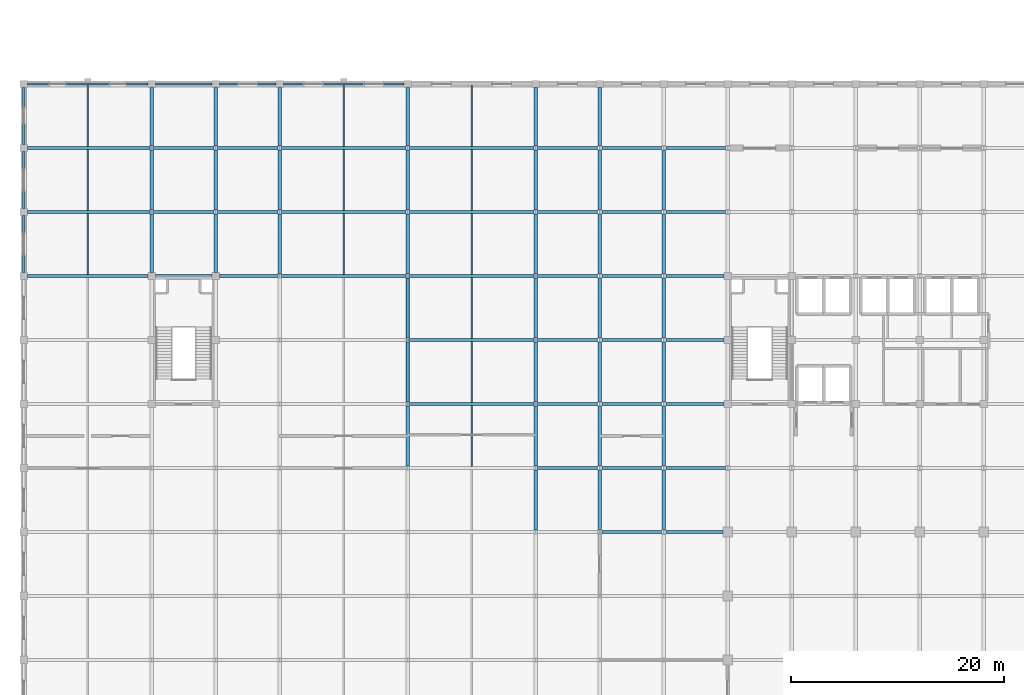
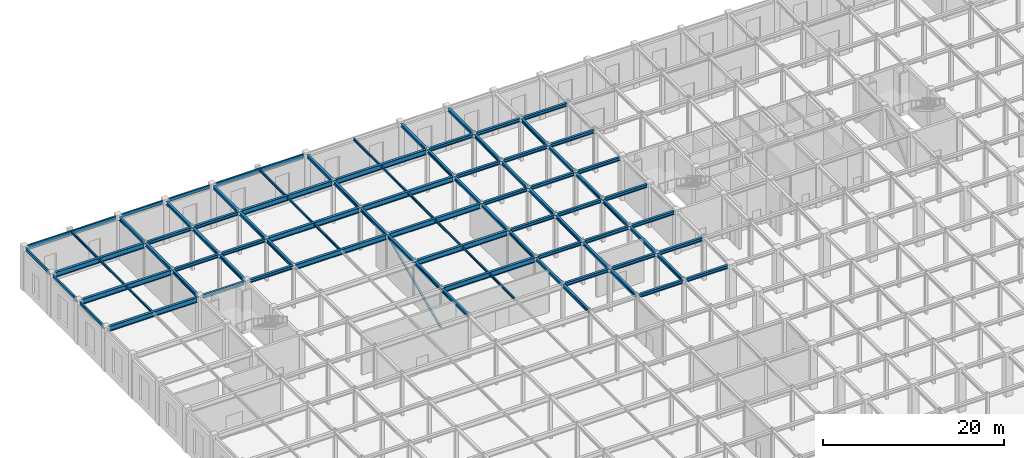
# One storey, part 34 of 51: 91 beams, 1 member.
"""IFC4 building model written with IfcOpenShell, lengths in metres."""

from ifc_helpers import new_model, si_unit, direction, frame, origin, origin_2d, place, context, subcontext, project, spatial, hollow_rectangle, i_section, extrude, material, material_profile, profile_set, type_object, element, save


model = new_model("IFC4")

# Units and contexts
model_context = context("Model", 3, precision=1e-05, world=origin(), true_north=direction((0.0, 1.0)))
body_context = subcontext(model_context, "Body", "Model", "MODEL_VIEW")
ifc_project = project(units=[si_unit("LENGTHUNIT", "METRE"), si_unit("AREAUNIT", "SQUARE_METRE"), si_unit("VOLUMEUNIT", "CUBIC_METRE"), si_unit("PLANEANGLEUNIT", "RADIAN"), si_unit("MASSUNIT", "GRAM", prefix="KILO")], contexts=[model_context])

# Site, building, storey
site_placement = place(None, origin())
site = spatial("IfcSite", under=ifc_project, at=site_placement, CompositionType="ELEMENT")
building_placement = place(site_placement, origin())
building = spatial("IfcBuilding", under=site, at=building_placement, Name="Zlatovratsky Civic Hall", CompositionType="ELEMENT")
storey_placement = place(building_placement, origin())
storey = spatial("IfcBuildingStorey", under=building, at=storey_placement, Name="L01", CompositionType="ELEMENT", Elevation=0.0)

# Beams
ifc_material = material(Name="Steel S355", Category="steel")
ifc_material_profile_1 = material_profile(ifc_material, i_section(OverallWidth=0.320068359375, OverallDepth=0.68310546875, WebThickness=0.012939453125, FlangeThickness=0.01904296875, FilletRadius=0.02587890625, at=origin_2d()), Name="70Sh1")
ifc_profile_set_1 = profile_set([ifc_material_profile_1], Name="Steel S355")
beam_type_1 = type_object("IfcBeamType", Name="Beam_HallGirder_70Sh1", PredefinedType="BEAM", material=ifc_profile_set_1)
for number, where, z_axis, x_axis, name in (
    (1, (36.175048828125, 84.0, 5.41845703125), (1.0, 0.0, 0.0), (0.0, 1.0, 0.0), "BM-1123"),
    (2, (36.175048828125, 90.0, 5.41845703125), (1.0, 0.0, 0.0), (0.0, 1.0, 0.0), "BM-1144"),
):
    element("IfcBeam", number, at=place(storey_placement, frame(where, z_axis=z_axis, x_axis=x_axis)), inside=storey, type_object=beam_type_1, Name=name, PredefinedType="BEAM", context=body_context, shape_type="SweptSolid", body=[
        extrude(i_section(OverallWidth=0.320068359375, OverallDepth=0.68310546875, WebThickness=0.012939453125, FlangeThickness=0.01904296875, FilletRadius=0.02587890625, at=origin_2d()), origin(), (0.0, 0.0, 1.0), 11.64990234375),
    ])
beam_1_placement = place(storey_placement, frame((0.35009765625, 96.0, 5.41845703125), z_axis=(1.0, 0.0, 0.0), x_axis=(0.0, 1.0, 0.0)))
element("IfcBeam", 3, at=beam_1_placement, inside=storey, type_object=beam_type_1, Name="BM-1159", PredefinedType="BEAM", context=body_context, shape_type="SweptSolid", body=[
    extrude(i_section(OverallWidth=0.320068359375, OverallDepth=0.68310546875, WebThickness=0.012939453125, FlangeThickness=0.01904296875, FilletRadius=0.02587890625, at=origin_2d()), origin(), (0.0, 0.0, 1.0), 11.2998046875),
])
for number, where, z_axis, x_axis, name in (
    (4, (24.175048828125, 96.0, 5.41845703125), (1.0, 0.0, 0.0), (0.0, 1.0, 0.0), "BM-1162"),
    (5, (36.175048828125, 96.0, 5.41845703125), (1.0, 0.0, 0.0), (0.0, 1.0, 0.0), "BM-1163"),
):
    element("IfcBeam", number, at=place(storey_placement, frame(where, z_axis=z_axis, x_axis=x_axis)), inside=storey, type_object=beam_type_1, Name=name, PredefinedType="BEAM", context=body_context, shape_type="SweptSolid", body=[
        extrude(i_section(OverallWidth=0.320068359375, OverallDepth=0.68310546875, WebThickness=0.012939453125, FlangeThickness=0.01904296875, FilletRadius=0.02587890625, at=origin_2d()), origin(), (0.0, 0.0, 1.0), 11.64990234375),
    ])
beam_2_placement = place(storey_placement, frame((0.35009765625, 102.0, 5.41845703125), z_axis=(1.0, 0.0, 0.0), x_axis=(0.0, 1.0, 0.0)))
element("IfcBeam", 6, at=beam_2_placement, inside=storey, type_object=beam_type_1, Name="BM-1181", PredefinedType="BEAM", context=body_context, shape_type="SweptSolid", body=[
    extrude(i_section(OverallWidth=0.320068359375, OverallDepth=0.68310546875, WebThickness=0.012939453125, FlangeThickness=0.01904296875, FilletRadius=0.02587890625, at=origin_2d()), origin(), (0.0, 0.0, 1.0), 11.474853515625),
])
for number, where, z_axis, x_axis, name in (
    (7, (24.175048828125, 102.0, 5.41845703125), (1.0, 0.0, 0.0), (0.0, 1.0, 0.0), "BM-1184"),
    (8, (36.175048828125, 102.0, 5.41845703125), (1.0, 0.0, 0.0), (0.0, 1.0, 0.0), "BM-1185"),
):
    element("IfcBeam", number, at=place(storey_placement, frame(where, z_axis=z_axis, x_axis=x_axis)), inside=storey, type_object=beam_type_1, Name=name, PredefinedType="BEAM", context=body_context, shape_type="SweptSolid", body=[
        extrude(i_section(OverallWidth=0.320068359375, OverallDepth=0.68310546875, WebThickness=0.012939453125, FlangeThickness=0.01904296875, FilletRadius=0.02587890625, at=origin_2d()), origin(), (0.0, 0.0, 1.0), 11.64990234375),
    ])
beam_3_placement = place(storey_placement, frame((0.35009765625, 108.0, 5.41845703125), z_axis=(1.0, 0.0, 0.0), x_axis=(0.0, 1.0, 0.0)))
element("IfcBeam", 9, at=beam_3_placement, inside=storey, type_object=beam_type_1, Name="BM-1203", PredefinedType="BEAM", context=body_context, shape_type="SweptSolid", body=[
    extrude(i_section(OverallWidth=0.320068359375, OverallDepth=0.68310546875, WebThickness=0.012939453125, FlangeThickness=0.01904296875, FilletRadius=0.02587890625, at=origin_2d()), origin(), (0.0, 0.0, 1.0), 11.474853515625),
])
for number, where, z_axis, x_axis, name in (
    (10, (24.175048828125, 108.0, 5.41845703125), (1.0, 0.0, 0.0), (0.0, 1.0, 0.0), "BM-1206"),
    (11, (36.175048828125, 108.0, 5.41845703125), (1.0, 0.0, 0.0), (0.0, 1.0, 0.0), "BM-1207"),
):
    element("IfcBeam", number, at=place(storey_placement, frame(where, z_axis=z_axis, x_axis=x_axis)), inside=storey, type_object=beam_type_1, Name=name, PredefinedType="BEAM", context=body_context, shape_type="SweptSolid", body=[
        extrude(i_section(OverallWidth=0.320068359375, OverallDepth=0.68310546875, WebThickness=0.012939453125, FlangeThickness=0.01904296875, FilletRadius=0.02587890625, at=origin_2d()), origin(), (0.0, 0.0, 1.0), 11.64990234375),
    ])
ifc_material_profile_2 = material_profile(ifc_material, i_section(OverallWidth=0.198974609375, OverallDepth=0.491943359375, WebThickness=0.0087890625, FlangeThickness=0.011962890625, FilletRadius=0.01611328125, at=origin_2d()), Name="50B1")
ifc_profile_set_2 = profile_set([ifc_material_profile_2], Name="Steel S355")
beam_type_2 = type_object("IfcBeamType", Name="Beam_Spandrel_50B1", PredefinedType="SPANDREL", material=ifc_profile_set_2)
for number, where, z_axis, x_axis, name in (
    (12, (12.35009765625, 114.0, 5.513916015625), (1.0, 0.0, 0.0), (0.0, 1.0, 0.0), "BM-1226"),
    (13, (18.35009765625, 114.0, 5.513916015625), (1.0, 0.0, 0.0), (0.0, 1.0, 0.0), "BM-1227"),
    (14, (0.0, 96.35009765625, 5.513916015625), (0.0, 1.0, 0.0), (-1.0, 0.0, 0.0), "BM-1261"),
    (15, (0.0, 102.35009765625, 5.513916015625), (0.0, 1.0, 0.0), (-1.0, 0.0, 0.0), "BM-1262"),
    (16, (0.0, 108.35009765625, 5.513916015625), (0.0, 1.0, 0.0), (-1.0, 0.0, 0.0), "BM-1263"),
):
    element("IfcBeam", number, at=place(storey_placement, frame(where, z_axis=z_axis, x_axis=x_axis)), inside=storey, type_object=beam_type_2, Name=name, PredefinedType="SPANDREL", context=body_context, shape_type="SweptSolid", body=[
        extrude(i_section(OverallWidth=0.198974609375, OverallDepth=0.491943359375, WebThickness=0.0087890625, FlangeThickness=0.011962890625, FilletRadius=0.01611328125, at=origin_2d()), origin(), (0.0, 0.0, 1.0), 5.2998046875),
    ])
ifc_material_profile_3 = material_profile(ifc_material, i_section(OverallWidth=0.198974609375, OverallDepth=0.593017578125, WebThickness=0.010498046875, FlangeThickness=0.014892578125, FilletRadius=0.01806640625, at=origin_2d()), Name="60B1")
ifc_profile_set_3 = profile_set([ifc_material_profile_3], Name="Steel S355")
beam_type_3 = type_object("IfcBeamType", Name="Beam_Spandrel_60B1", PredefinedType="SPANDREL", material=ifc_profile_set_3)
for number, where, z_axis, x_axis, name in (
    (17, (0.35009765625, 114.0, 5.46337890625), (1.0, 0.0, 0.0), (0.0, 1.0, 0.0), "BM-1225"),
    (18, (24.35009765625, 114.0, 5.46337890625), (1.0, 0.0, 0.0), (0.0, 1.0, 0.0), "BM-1228"),
):
    element("IfcBeam", number, at=place(storey_placement, frame(where, z_axis=z_axis, x_axis=x_axis)), inside=storey, type_object=beam_type_3, Name=name, PredefinedType="SPANDREL", context=body_context, shape_type="SweptSolid", body=[
        extrude(i_section(OverallWidth=0.198974609375, OverallDepth=0.593017578125, WebThickness=0.010498046875, FlangeThickness=0.014892578125, FilletRadius=0.01806640625, at=origin_2d()), origin(), (0.0, 0.0, 1.0), 11.2998046875),
    ])
ifc_material_profile_4 = material_profile(ifc_material, i_section(OverallWidth=0.300048828125, OverallDepth=0.43994140625, WebThickness=0.010986328125, FlangeThickness=0.01806640625, FilletRadius=0.02197265625, at=origin_2d()), Name="45Sh1")
ifc_profile_set_4 = profile_set([ifc_material_profile_4], Name="Steel S355")
beam_type_4 = type_object("IfcBeamType", Name="Beam_TowerLow_45Sh1", PredefinedType="BEAM", material=ifc_profile_set_4)
beam_4_placement = place(storey_placement, frame((54.20458984375, 72.0, 5.5400390625), z_axis=(1.0, 0.0, 0.0), x_axis=(0.0, 1.0, 0.0)))
element("IfcBeam", 19, at=beam_4_placement, inside=storey, type_object=beam_type_4, Name="BM-1081", PredefinedType="BEAM", context=body_context, shape_type="SweptSolid", body=[
    extrude(i_section(OverallWidth=0.300048828125, OverallDepth=0.43994140625, WebThickness=0.010986328125, FlangeThickness=0.01806640625, FilletRadius=0.02197265625, at=origin_2d()), origin(), (0.0, 0.0, 1.0), 5.5908203125),
])
beam_5_placement = place(storey_placement, frame((60.20458984375, 72.0, 5.5400390625), z_axis=(1.0, 0.0, 0.0), x_axis=(0.0, 1.0, 0.0)))
element("IfcBeam", 20, at=beam_5_placement, inside=storey, type_object=beam_type_4, Name="BM-1082", PredefinedType="BEAM", context=body_context, shape_type="SweptSolid", body=[
    extrude(i_section(OverallWidth=0.300048828125, OverallDepth=0.43994140625, WebThickness=0.010986328125, FlangeThickness=0.01806640625, FilletRadius=0.02197265625, at=origin_2d()), origin(), (0.0, 0.0, 1.0), 5.345458984375),
])
beam_6_placement = place(storey_placement, frame((48.175048828125, 78.0, 5.5400390625), z_axis=(1.0, 0.0, 0.0), x_axis=(0.0, 1.0, 0.0)))
element("IfcBeam", 21, at=beam_6_placement, inside=storey, type_object=beam_type_4, Name="BM-1102", PredefinedType="BEAM", context=body_context, shape_type="SweptSolid", body=[
    extrude(i_section(OverallWidth=0.300048828125, OverallDepth=0.43994140625, WebThickness=0.010986328125, FlangeThickness=0.01806640625, FilletRadius=0.02197265625, at=origin_2d()), origin(), (0.0, 0.0, 1.0), 5.620361328125),
])
for number, where, z_axis, x_axis, name in (
    (22, (54.20458984375, 78.0, 5.5400390625), (1.0, 0.0, 0.0), (0.0, 1.0, 0.0), "BM-1103"),
    (23, (60.20458984375, 78.0, 5.5400390625), (1.0, 0.0, 0.0), (0.0, 1.0, 0.0), "BM-1104"),
):
    element("IfcBeam", number, at=place(storey_placement, frame(where, z_axis=z_axis, x_axis=x_axis)), inside=storey, type_object=beam_type_4, Name=name, PredefinedType="BEAM", context=body_context, shape_type="SweptSolid", body=[
        extrude(i_section(OverallWidth=0.300048828125, OverallDepth=0.43994140625, WebThickness=0.010986328125, FlangeThickness=0.01806640625, FilletRadius=0.02197265625, at=origin_2d()), origin(), (0.0, 0.0, 1.0), 5.5908203125),
    ])
beam_7_placement = place(storey_placement, frame((48.175048828125, 84.0, 5.5400390625), z_axis=(1.0, 0.0, 0.0), x_axis=(0.0, 1.0, 0.0)))
element("IfcBeam", 24, at=beam_7_placement, inside=storey, type_object=beam_type_4, Name="BM-1124", PredefinedType="BEAM", context=body_context, shape_type="SweptSolid", body=[
    extrude(i_section(OverallWidth=0.300048828125, OverallDepth=0.43994140625, WebThickness=0.010986328125, FlangeThickness=0.01806640625, FilletRadius=0.02197265625, at=origin_2d()), origin(), (0.0, 0.0, 1.0), 5.620361328125),
])
beam_8_placement = place(storey_placement, frame((54.20458984375, 84.0, 5.5400390625), z_axis=(1.0, 0.0, 0.0), x_axis=(0.0, 1.0, 0.0)))
element("IfcBeam", 25, at=beam_8_placement, inside=storey, type_object=beam_type_4, Name="BM-1125", PredefinedType="BEAM", context=body_context, shape_type="SweptSolid", body=[
    extrude(i_section(OverallWidth=0.300048828125, OverallDepth=0.43994140625, WebThickness=0.010986328125, FlangeThickness=0.01806640625, FilletRadius=0.02197265625, at=origin_2d()), origin(), (0.0, 0.0, 1.0), 5.5908203125),
])
beam_9_placement = place(storey_placement, frame((60.20458984375, 84.0, 5.5400390625), z_axis=(1.0, 0.0, 0.0), x_axis=(0.0, 1.0, 0.0)))
element("IfcBeam", 26, at=beam_9_placement, inside=storey, type_object=beam_type_4, Name="BM-1126", PredefinedType="BEAM", context=body_context, shape_type="SweptSolid", body=[
    extrude(i_section(OverallWidth=0.300048828125, OverallDepth=0.43994140625, WebThickness=0.010986328125, FlangeThickness=0.01806640625, FilletRadius=0.02197265625, at=origin_2d()), origin(), (0.0, 0.0, 1.0), 5.4453125),
])
beam_10_placement = place(storey_placement, frame((48.175048828125, 90.0, 5.5400390625), z_axis=(1.0, 0.0, 0.0), x_axis=(0.0, 1.0, 0.0)))
element("IfcBeam", 27, at=beam_10_placement, inside=storey, type_object=beam_type_4, Name="BM-1145", PredefinedType="BEAM", context=body_context, shape_type="SweptSolid", body=[
    extrude(i_section(OverallWidth=0.300048828125, OverallDepth=0.43994140625, WebThickness=0.010986328125, FlangeThickness=0.01806640625, FilletRadius=0.02197265625, at=origin_2d()), origin(), (0.0, 0.0, 1.0), 5.620361328125),
])
beam_11_placement = place(storey_placement, frame((54.20458984375, 90.0, 5.5400390625), z_axis=(1.0, 0.0, 0.0), x_axis=(0.0, 1.0, 0.0)))
element("IfcBeam", 28, at=beam_11_placement, inside=storey, type_object=beam_type_4, Name="BM-1146", PredefinedType="BEAM", context=body_context, shape_type="SweptSolid", body=[
    extrude(i_section(OverallWidth=0.300048828125, OverallDepth=0.43994140625, WebThickness=0.010986328125, FlangeThickness=0.01806640625, FilletRadius=0.02197265625, at=origin_2d()), origin(), (0.0, 0.0, 1.0), 5.5908203125),
])
beam_12_placement = place(storey_placement, frame((60.20458984375, 90.0, 5.5400390625), z_axis=(1.0, 0.0, 0.0), x_axis=(0.0, 1.0, 0.0)))
element("IfcBeam", 29, at=beam_12_placement, inside=storey, type_object=beam_type_4, Name="BM-1147", PredefinedType="BEAM", context=body_context, shape_type="SweptSolid", body=[
    extrude(i_section(OverallWidth=0.300048828125, OverallDepth=0.43994140625, WebThickness=0.010986328125, FlangeThickness=0.01806640625, FilletRadius=0.02197265625, at=origin_2d()), origin(), (0.0, 0.0, 1.0), 5.4453125),
])
beam_13_placement = place(storey_placement, frame((12.35009765625, 96.0, 5.5400390625), z_axis=(1.0, 0.0, 0.0), x_axis=(0.0, 1.0, 0.0)))
element("IfcBeam", 30, at=beam_13_placement, inside=storey, type_object=beam_type_4, Name="BM-1160", PredefinedType="BEAM", context=body_context, shape_type="SweptSolid", body=[
    extrude(i_section(OverallWidth=0.300048828125, OverallDepth=0.43994140625, WebThickness=0.010986328125, FlangeThickness=0.01806640625, FilletRadius=0.02197265625, at=origin_2d()), origin(), (0.0, 0.0, 1.0), 5.2998046875),
])
beam_14_placement = place(storey_placement, frame((18.35009765625, 96.0, 5.5400390625), z_axis=(1.0, 0.0, 0.0), x_axis=(0.0, 1.0, 0.0)))
element("IfcBeam", 31, at=beam_14_placement, inside=storey, type_object=beam_type_4, Name="BM-1161", PredefinedType="BEAM", context=body_context, shape_type="SweptSolid", body=[
    extrude(i_section(OverallWidth=0.300048828125, OverallDepth=0.43994140625, WebThickness=0.010986328125, FlangeThickness=0.01806640625, FilletRadius=0.02197265625, at=origin_2d()), origin(), (0.0, 0.0, 1.0), 5.474853515625),
])
beam_15_placement = place(storey_placement, frame((48.175048828125, 96.0, 5.5400390625), z_axis=(1.0, 0.0, 0.0), x_axis=(0.0, 1.0, 0.0)))
element("IfcBeam", 32, at=beam_15_placement, inside=storey, type_object=beam_type_4, Name="BM-1164", PredefinedType="BEAM", context=body_context, shape_type="SweptSolid", body=[
    extrude(i_section(OverallWidth=0.300048828125, OverallDepth=0.43994140625, WebThickness=0.010986328125, FlangeThickness=0.01806640625, FilletRadius=0.02197265625, at=origin_2d()), origin(), (0.0, 0.0, 1.0), 5.620361328125),
])
beam_16_placement = place(storey_placement, frame((54.20458984375, 96.0, 5.5400390625), z_axis=(1.0, 0.0, 0.0), x_axis=(0.0, 1.0, 0.0)))
element("IfcBeam", 33, at=beam_16_placement, inside=storey, type_object=beam_type_4, Name="BM-1165", PredefinedType="BEAM", context=body_context, shape_type="SweptSolid", body=[
    extrude(i_section(OverallWidth=0.300048828125, OverallDepth=0.43994140625, WebThickness=0.010986328125, FlangeThickness=0.01806640625, FilletRadius=0.02197265625, at=origin_2d()), origin(), (0.0, 0.0, 1.0), 5.5908203125),
])
beam_17_placement = place(storey_placement, frame((60.20458984375, 96.0, 5.5400390625), z_axis=(1.0, 0.0, 0.0), x_axis=(0.0, 1.0, 0.0)))
element("IfcBeam", 34, at=beam_17_placement, inside=storey, type_object=beam_type_4, Name="BM-1166", PredefinedType="BEAM", context=body_context, shape_type="SweptSolid", body=[
    extrude(i_section(OverallWidth=0.300048828125, OverallDepth=0.43994140625, WebThickness=0.010986328125, FlangeThickness=0.01806640625, FilletRadius=0.02197265625, at=origin_2d()), origin(), (0.0, 0.0, 1.0), 5.4453125),
])
for number, where, z_axis, x_axis, name in (
    (35, (12.175048828125, 102.0, 5.5400390625), (1.0, 0.0, 0.0), (0.0, 1.0, 0.0), "BM-1182"),
    (36, (18.175048828125, 102.0, 5.5400390625), (1.0, 0.0, 0.0), (0.0, 1.0, 0.0), "BM-1183"),
):
    element("IfcBeam", number, at=place(storey_placement, frame(where, z_axis=z_axis, x_axis=x_axis)), inside=storey, type_object=beam_type_4, Name=name, PredefinedType="BEAM", context=body_context, shape_type="SweptSolid", body=[
        extrude(i_section(OverallWidth=0.300048828125, OverallDepth=0.43994140625, WebThickness=0.010986328125, FlangeThickness=0.01806640625, FilletRadius=0.02197265625, at=origin_2d()), origin(), (0.0, 0.0, 1.0), 5.64990234375),
    ])
beam_18_placement = place(storey_placement, frame((48.175048828125, 102.0, 5.5400390625), z_axis=(1.0, 0.0, 0.0), x_axis=(0.0, 1.0, 0.0)))
element("IfcBeam", 37, at=beam_18_placement, inside=storey, type_object=beam_type_4, Name="BM-1186", PredefinedType="BEAM", context=body_context, shape_type="SweptSolid", body=[
    extrude(i_section(OverallWidth=0.300048828125, OverallDepth=0.43994140625, WebThickness=0.010986328125, FlangeThickness=0.01806640625, FilletRadius=0.02197265625, at=origin_2d()), origin(), (0.0, 0.0, 1.0), 5.620361328125),
])
for number, where, z_axis, x_axis, name in (
    (38, (54.20458984375, 102.0, 5.5400390625), (1.0, 0.0, 0.0), (0.0, 1.0, 0.0), "BM-1187"),
    (39, (60.20458984375, 102.0, 5.5400390625), (1.0, 0.0, 0.0), (0.0, 1.0, 0.0), "BM-1188"),
):
    element("IfcBeam", number, at=place(storey_placement, frame(where, z_axis=z_axis, x_axis=x_axis)), inside=storey, type_object=beam_type_4, Name=name, PredefinedType="BEAM", context=body_context, shape_type="SweptSolid", body=[
        extrude(i_section(OverallWidth=0.300048828125, OverallDepth=0.43994140625, WebThickness=0.010986328125, FlangeThickness=0.01806640625, FilletRadius=0.02197265625, at=origin_2d()), origin(), (0.0, 0.0, 1.0), 5.5908203125),
    ])
for number, where, z_axis, x_axis, name in (
    (40, (12.175048828125, 108.0, 5.5400390625), (1.0, 0.0, 0.0), (0.0, 1.0, 0.0), "BM-1204"),
    (41, (18.175048828125, 108.0, 5.5400390625), (1.0, 0.0, 0.0), (0.0, 1.0, 0.0), "BM-1205"),
):
    element("IfcBeam", number, at=place(storey_placement, frame(where, z_axis=z_axis, x_axis=x_axis)), inside=storey, type_object=beam_type_4, Name=name, PredefinedType="BEAM", context=body_context, shape_type="SweptSolid", body=[
        extrude(i_section(OverallWidth=0.300048828125, OverallDepth=0.43994140625, WebThickness=0.010986328125, FlangeThickness=0.01806640625, FilletRadius=0.02197265625, at=origin_2d()), origin(), (0.0, 0.0, 1.0), 5.64990234375),
    ])
beam_19_placement = place(storey_placement, frame((48.175048828125, 108.0, 5.5400390625), z_axis=(1.0, 0.0, 0.0), x_axis=(0.0, 1.0, 0.0)))
element("IfcBeam", 42, at=beam_19_placement, inside=storey, type_object=beam_type_4, Name="BM-1208", PredefinedType="BEAM", context=body_context, shape_type="SweptSolid", body=[
    extrude(i_section(OverallWidth=0.300048828125, OverallDepth=0.43994140625, WebThickness=0.010986328125, FlangeThickness=0.01806640625, FilletRadius=0.02197265625, at=origin_2d()), origin(), (0.0, 0.0, 1.0), 5.620361328125),
])
for number, where, z_axis, x_axis, name in (
    (43, (54.20458984375, 108.0, 5.5400390625), (1.0, 0.0, 0.0), (0.0, 1.0, 0.0), "BM-1209"),
    (44, (60.20458984375, 108.0, 5.5400390625), (1.0, 0.0, 0.0), (0.0, 1.0, 0.0), "BM-1210"),
):
    element("IfcBeam", number, at=place(storey_placement, frame(where, z_axis=z_axis, x_axis=x_axis)), inside=storey, type_object=beam_type_4, Name=name, PredefinedType="BEAM", context=body_context, shape_type="SweptSolid", body=[
        extrude(i_section(OverallWidth=0.300048828125, OverallDepth=0.43994140625, WebThickness=0.010986328125, FlangeThickness=0.01806640625, FilletRadius=0.02197265625, at=origin_2d()), origin(), (0.0, 0.0, 1.0), 5.5908203125),
    ])
beam_20_placement = place(storey_placement, frame((12.0, 96.35009765625, 5.5400390625), z_axis=(0.0, 1.0, 0.0), x_axis=(-1.0, 0.0, 0.0)))
element("IfcBeam", 45, at=beam_20_placement, inside=storey, type_object=beam_type_4, Name="BM-1278", PredefinedType="BEAM", context=body_context, shape_type="SweptSolid", body=[
    extrude(i_section(OverallWidth=0.300048828125, OverallDepth=0.43994140625, WebThickness=0.010986328125, FlangeThickness=0.01806640625, FilletRadius=0.02197265625, at=origin_2d()), origin(), (0.0, 0.0, 1.0), 5.478515625),
])
beam_21_placement = place(storey_placement, frame((12.0, 102.17138671875, 5.5400390625), z_axis=(0.0, 1.0, 0.0), x_axis=(-1.0, 0.0, 0.0)))
element("IfcBeam", 46, at=beam_21_placement, inside=storey, type_object=beam_type_4, Name="BM-1279", PredefinedType="BEAM", context=body_context, shape_type="SweptSolid", body=[
    extrude(i_section(OverallWidth=0.300048828125, OverallDepth=0.43994140625, WebThickness=0.010986328125, FlangeThickness=0.01806640625, FilletRadius=0.02197265625, at=origin_2d()), origin(), (0.0, 0.0, 1.0), 5.6572265625),
])
for number, where, z_axis, x_axis, name in (
    (47, (12.0, 108.17138671875, 5.5400390625), (0.0, 1.0, 0.0), (-1.0, 0.0, 0.0), "BM-1280"),
    (48, (18.0, 96.35009765625, 5.5400390625), (0.0, 1.0, 0.0), (-1.0, 0.0, 0.0), "BM-1295"),
):
    element("IfcBeam", number, at=place(storey_placement, frame(where, z_axis=z_axis, x_axis=x_axis)), inside=storey, type_object=beam_type_4, Name=name, PredefinedType="BEAM", context=body_context, shape_type="SweptSolid", body=[
        extrude(i_section(OverallWidth=0.300048828125, OverallDepth=0.43994140625, WebThickness=0.010986328125, FlangeThickness=0.01806640625, FilletRadius=0.02197265625, at=origin_2d()), origin(), (0.0, 0.0, 1.0), 5.478515625),
    ])
beam_22_placement = place(storey_placement, frame((18.0, 102.17138671875, 5.5400390625), z_axis=(0.0, 1.0, 0.0), x_axis=(-1.0, 0.0, 0.0)))
element("IfcBeam", 49, at=beam_22_placement, inside=storey, type_object=beam_type_4, Name="BM-1296", PredefinedType="BEAM", context=body_context, shape_type="SweptSolid", body=[
    extrude(i_section(OverallWidth=0.300048828125, OverallDepth=0.43994140625, WebThickness=0.010986328125, FlangeThickness=0.01806640625, FilletRadius=0.02197265625, at=origin_2d()), origin(), (0.0, 0.0, 1.0), 5.6572265625),
])
beam_23_placement = place(storey_placement, frame((18.0, 108.17138671875, 5.5400390625), z_axis=(0.0, 1.0, 0.0), x_axis=(-1.0, 0.0, 0.0)))
element("IfcBeam", 50, at=beam_23_placement, inside=storey, type_object=beam_type_4, Name="BM-1297", PredefinedType="BEAM", context=body_context, shape_type="SweptSolid", body=[
    extrude(i_section(OverallWidth=0.300048828125, OverallDepth=0.43994140625, WebThickness=0.010986328125, FlangeThickness=0.01806640625, FilletRadius=0.02197265625, at=origin_2d()), origin(), (0.0, 0.0, 1.0), 5.478515625),
])
for number, where, z_axis, x_axis, name in (
    (51, (24.0, 96.17138671875, 5.5400390625), (0.0, 1.0, 0.0), (-1.0, 0.0, 0.0), "BM-1312"),
    (52, (24.0, 102.17138671875, 5.5400390625), (0.0, 1.0, 0.0), (-1.0, 0.0, 0.0), "BM-1313"),
):
    element("IfcBeam", number, at=place(storey_placement, frame(where, z_axis=z_axis, x_axis=x_axis)), inside=storey, type_object=beam_type_4, Name=name, PredefinedType="BEAM", context=body_context, shape_type="SweptSolid", body=[
        extrude(i_section(OverallWidth=0.300048828125, OverallDepth=0.43994140625, WebThickness=0.010986328125, FlangeThickness=0.01806640625, FilletRadius=0.02197265625, at=origin_2d()), origin(), (0.0, 0.0, 1.0), 5.6572265625),
    ])
beam_24_placement = place(storey_placement, frame((24.0, 108.17138671875, 5.5400390625), z_axis=(0.0, 1.0, 0.0), x_axis=(-1.0, 0.0, 0.0)))
element("IfcBeam", 53, at=beam_24_placement, inside=storey, type_object=beam_type_4, Name="BM-1314", PredefinedType="BEAM", context=body_context, shape_type="SweptSolid", body=[
    extrude(i_section(OverallWidth=0.300048828125, OverallDepth=0.43994140625, WebThickness=0.010986328125, FlangeThickness=0.01806640625, FilletRadius=0.02197265625, at=origin_2d()), origin(), (0.0, 0.0, 1.0), 5.478515625),
])
for number, where, z_axis, x_axis, name in (
    (54, (36.0, 78.17138671875, 5.5400390625), (0.0, 1.0, 0.0), (-1.0, 0.0, 0.0), "BM-1326"),
    (55, (36.0, 84.17138671875, 5.5400390625), (0.0, 1.0, 0.0), (-1.0, 0.0, 0.0), "BM-1327"),
    (56, (36.0, 90.17138671875, 5.5400390625), (0.0, 1.0, 0.0), (-1.0, 0.0, 0.0), "BM-1328"),
    (57, (36.0, 96.17138671875, 5.5400390625), (0.0, 1.0, 0.0), (-1.0, 0.0, 0.0), "BM-1329"),
    (58, (36.0, 102.17138671875, 5.5400390625), (0.0, 1.0, 0.0), (-1.0, 0.0, 0.0), "BM-1330"),
):
    element("IfcBeam", number, at=place(storey_placement, frame(where, z_axis=z_axis, x_axis=x_axis)), inside=storey, type_object=beam_type_4, Name=name, PredefinedType="BEAM", context=body_context, shape_type="SweptSolid", body=[
        extrude(i_section(OverallWidth=0.300048828125, OverallDepth=0.43994140625, WebThickness=0.010986328125, FlangeThickness=0.01806640625, FilletRadius=0.02197265625, at=origin_2d()), origin(), (0.0, 0.0, 1.0), 5.6572265625),
    ])
beam_25_placement = place(storey_placement, frame((36.0, 108.17138671875, 5.5400390625), z_axis=(0.0, 1.0, 0.0), x_axis=(-1.0, 0.0, 0.0)))
element("IfcBeam", 59, at=beam_25_placement, inside=storey, type_object=beam_type_4, Name="BM-1331", PredefinedType="BEAM", context=body_context, shape_type="SweptSolid", body=[
    extrude(i_section(OverallWidth=0.300048828125, OverallDepth=0.43994140625, WebThickness=0.010986328125, FlangeThickness=0.01806640625, FilletRadius=0.02197265625, at=origin_2d()), origin(), (0.0, 0.0, 1.0), 5.478515625),
])
for number, where, z_axis, x_axis, name in (
    (60, (48.0, 72.17138671875, 5.5400390625), (0.0, 1.0, 0.0), (-1.0, 0.0, 0.0), "BM-1342"),
    (61, (48.0, 78.17138671875, 5.5400390625), (0.0, 1.0, 0.0), (-1.0, 0.0, 0.0), "BM-1343"),
    (62, (48.0, 84.17138671875, 5.5400390625), (0.0, 1.0, 0.0), (-1.0, 0.0, 0.0), "BM-1344"),
    (63, (48.0, 90.17138671875, 5.5400390625), (0.0, 1.0, 0.0), (-1.0, 0.0, 0.0), "BM-1345"),
    (64, (48.0, 96.17138671875, 5.5400390625), (0.0, 1.0, 0.0), (-1.0, 0.0, 0.0), "BM-1346"),
    (65, (48.0, 102.17138671875, 5.5400390625), (0.0, 1.0, 0.0), (-1.0, 0.0, 0.0), "BM-1347"),
):
    element("IfcBeam", number, at=place(storey_placement, frame(where, z_axis=z_axis, x_axis=x_axis)), inside=storey, type_object=beam_type_4, Name=name, PredefinedType="BEAM", context=body_context, shape_type="SweptSolid", body=[
        extrude(i_section(OverallWidth=0.300048828125, OverallDepth=0.43994140625, WebThickness=0.010986328125, FlangeThickness=0.01806640625, FilletRadius=0.02197265625, at=origin_2d()), origin(), (0.0, 0.0, 1.0), 5.6572265625),
    ])
beam_26_placement = place(storey_placement, frame((48.0, 108.17138671875, 5.5400390625), z_axis=(0.0, 1.0, 0.0), x_axis=(-1.0, 0.0, 0.0)))
element("IfcBeam", 66, at=beam_26_placement, inside=storey, type_object=beam_type_4, Name="BM-1348", PredefinedType="BEAM", context=body_context, shape_type="SweptSolid", body=[
    extrude(i_section(OverallWidth=0.300048828125, OverallDepth=0.43994140625, WebThickness=0.010986328125, FlangeThickness=0.01806640625, FilletRadius=0.02197265625, at=origin_2d()), origin(), (0.0, 0.0, 1.0), 5.478515625),
])
for number, where, z_axis, x_axis, name in (
    (67, (54.0, 72.214599609375, 5.5400390625), (0.0, 1.0, 0.0), (-1.0, 0.0, 0.0), "BM-1359"),
    (68, (54.0, 78.214599609375, 5.5400390625), (0.0, 1.0, 0.0), (-1.0, 0.0, 0.0), "BM-1360"),
    (69, (54.0, 84.214599609375, 5.5400390625), (0.0, 1.0, 0.0), (-1.0, 0.0, 0.0), "BM-1361"),
    (70, (54.0, 90.214599609375, 5.5400390625), (0.0, 1.0, 0.0), (-1.0, 0.0, 0.0), "BM-1362"),
    (71, (54.0, 96.214599609375, 5.5400390625), (0.0, 1.0, 0.0), (-1.0, 0.0, 0.0), "BM-1363"),
    (72, (54.0, 102.214599609375, 5.5400390625), (0.0, 1.0, 0.0), (-1.0, 0.0, 0.0), "BM-1364"),
):
    element("IfcBeam", number, at=place(storey_placement, frame(where, z_axis=z_axis, x_axis=x_axis)), inside=storey, type_object=beam_type_4, Name=name, PredefinedType="BEAM", context=body_context, shape_type="SweptSolid", body=[
        extrude(i_section(OverallWidth=0.300048828125, OverallDepth=0.43994140625, WebThickness=0.010986328125, FlangeThickness=0.01806640625, FilletRadius=0.02197265625, at=origin_2d()), origin(), (0.0, 0.0, 1.0), 5.57080078125),
    ])
beam_27_placement = place(storey_placement, frame((54.0, 108.214599609375, 5.5400390625), z_axis=(0.0, 1.0, 0.0), x_axis=(-1.0, 0.0, 0.0)))
element("IfcBeam", 73, at=beam_27_placement, inside=storey, type_object=beam_type_4, Name="BM-1365", PredefinedType="BEAM", context=body_context, shape_type="SweptSolid", body=[
    extrude(i_section(OverallWidth=0.300048828125, OverallDepth=0.43994140625, WebThickness=0.010986328125, FlangeThickness=0.01806640625, FilletRadius=0.02197265625, at=origin_2d()), origin(), (0.0, 0.0, 1.0), 5.435302734375),
])
for number, where, z_axis, x_axis, name in (
    (74, (60.0, 72.214599609375, 5.5400390625), (0.0, 1.0, 0.0), (-1.0, 0.0, 0.0), "BM-1375"),
    (75, (60.0, 78.214599609375, 5.5400390625), (0.0, 1.0, 0.0), (-1.0, 0.0, 0.0), "BM-1376"),
    (76, (60.0, 84.214599609375, 5.5400390625), (0.0, 1.0, 0.0), (-1.0, 0.0, 0.0), "BM-1377"),
    (77, (60.0, 90.214599609375, 5.5400390625), (0.0, 1.0, 0.0), (-1.0, 0.0, 0.0), "BM-1378"),
    (78, (60.0, 96.214599609375, 5.5400390625), (0.0, 1.0, 0.0), (-1.0, 0.0, 0.0), "BM-1379"),
    (79, (60.0, 102.214599609375, 5.5400390625), (0.0, 1.0, 0.0), (-1.0, 0.0, 0.0), "BM-1380"),
):
    element("IfcBeam", number, at=place(storey_placement, frame(where, z_axis=z_axis, x_axis=x_axis)), inside=storey, type_object=beam_type_4, Name=name, PredefinedType="BEAM", context=body_context, shape_type="SweptSolid", body=[
        extrude(i_section(OverallWidth=0.300048828125, OverallDepth=0.43994140625, WebThickness=0.010986328125, FlangeThickness=0.01806640625, FilletRadius=0.02197265625, at=origin_2d()), origin(), (0.0, 0.0, 1.0), 5.57080078125),
    ])

# Member
ifc_material_profile_5 = material_profile(ifc_material, hollow_rectangle(XDim=0.219970703125, YDim=0.219970703125, WallThickness=0.010009765625, at=origin_2d()), Name="SHS 220x220x10")
ifc_profile_set_5 = profile_set([ifc_material_profile_5], Name="Steel S355")
member_type = type_object("IfcMemberType", Name="Brace_Podium_SHS220", PredefinedType="BRACE", material=ifc_profile_set_5)
member_placement = place(storey_placement, frame((36.0, 84.17138671875, 0.25), z_axis=(0.0, 0.91325938585, 0.407378563693), x_axis=(-1.0, 0.0, 0.0)))
element("IfcMember", 80, at=member_placement, inside=storey, type_object=member_type, Name="MB-0098", PredefinedType="BRACE", context=body_context, shape_type="SweptSolid", body=[
    extrude(hollow_rectangle(XDim=0.219970703125, YDim=0.219970703125, WallThickness=0.010009765625, at=origin_2d()), origin(), (0.0, 0.0, 1.0), 12.764404296875),
])

# Beams
ifc_material_profile_6 = material_profile(ifc_material, i_section(OverallWidth=0.14990234375, OverallDepth=0.300048828125, WebThickness=0.006591796875, FlangeThickness=0.009033203125, FilletRadius=0.012939453125, at=origin_2d()), Name="30B2")
ifc_profile_set_6 = profile_set([ifc_material_profile_6], Name="Steel S355")
beam_type_5 = type_object("IfcBeamType", Name="Joist_Podium_30B2", PredefinedType="JOIST", material=ifc_profile_set_6)
for number, where, z_axis, x_axis, name in (
    (81, (42.0, 78.159912109375, 5.610107421875), (0.0, 1.0, 0.0), (-1.0, 0.0, 0.0), "BM-1691"),
    (82, (42.0, 84.159912109375, 5.610107421875), (0.0, 1.0, 0.0), (-1.0, 0.0, 0.0), "BM-1697"),
    (83, (42.0, 90.159912109375, 5.610107421875), (0.0, 1.0, 0.0), (-1.0, 0.0, 0.0), "BM-1703"),
    (84, (6.0, 96.159912109375, 5.610107421875), (0.0, 1.0, 0.0), (-1.0, 0.0, 0.0), "BM-1709"),
    (85, (30.0, 96.159912109375, 5.610107421875), (0.0, 1.0, 0.0), (-1.0, 0.0, 0.0), "BM-1710"),
    (86, (42.0, 96.159912109375, 5.610107421875), (0.0, 1.0, 0.0), (-1.0, 0.0, 0.0), "BM-1711"),
    (87, (6.0, 102.159912109375, 5.610107421875), (0.0, 1.0, 0.0), (-1.0, 0.0, 0.0), "BM-1715"),
    (88, (30.0, 102.159912109375, 5.610107421875), (0.0, 1.0, 0.0), (-1.0, 0.0, 0.0), "BM-1716"),
    (89, (42.0, 102.159912109375, 5.610107421875), (0.0, 1.0, 0.0), (-1.0, 0.0, 0.0), "BM-1717"),
):
    element("IfcBeam", number, at=place(storey_placement, frame(where, z_axis=z_axis, x_axis=x_axis)), inside=storey, type_object=beam_type_5, Name=name, PredefinedType="JOIST", context=body_context, shape_type="SweptSolid", body=[
        extrude(i_section(OverallWidth=0.14990234375, OverallDepth=0.300048828125, WebThickness=0.006591796875, FlangeThickness=0.009033203125, FilletRadius=0.012939453125, at=origin_2d()), origin(), (0.0, 0.0, 1.0), 5.68017578125),
    ])
for number, where, z_axis, x_axis, name in (
    (90, (6.0, 108.159912109375, 5.610107421875), (0.0, 1.0, 0.0), (-1.0, 0.0, 0.0), "BM-1721"),
    (91, (30.0, 108.159912109375, 5.610107421875), (0.0, 1.0, 0.0), (-1.0, 0.0, 0.0), "BM-1722"),
    (92, (42.0, 108.159912109375, 5.610107421875), (0.0, 1.0, 0.0), (-1.0, 0.0, 0.0), "BM-1723"),
):
    element("IfcBeam", number, at=place(storey_placement, frame(where, z_axis=z_axis, x_axis=x_axis)), inside=storey, type_object=beam_type_5, Name=name, PredefinedType="JOIST", context=body_context, shape_type="SweptSolid", body=[
        extrude(i_section(OverallWidth=0.14990234375, OverallDepth=0.300048828125, WebThickness=0.006591796875, FlangeThickness=0.009033203125, FilletRadius=0.012939453125, at=origin_2d()), origin(), (0.0, 0.0, 1.0), 5.740478515625),
    ])

save(model, "model.ifc")
